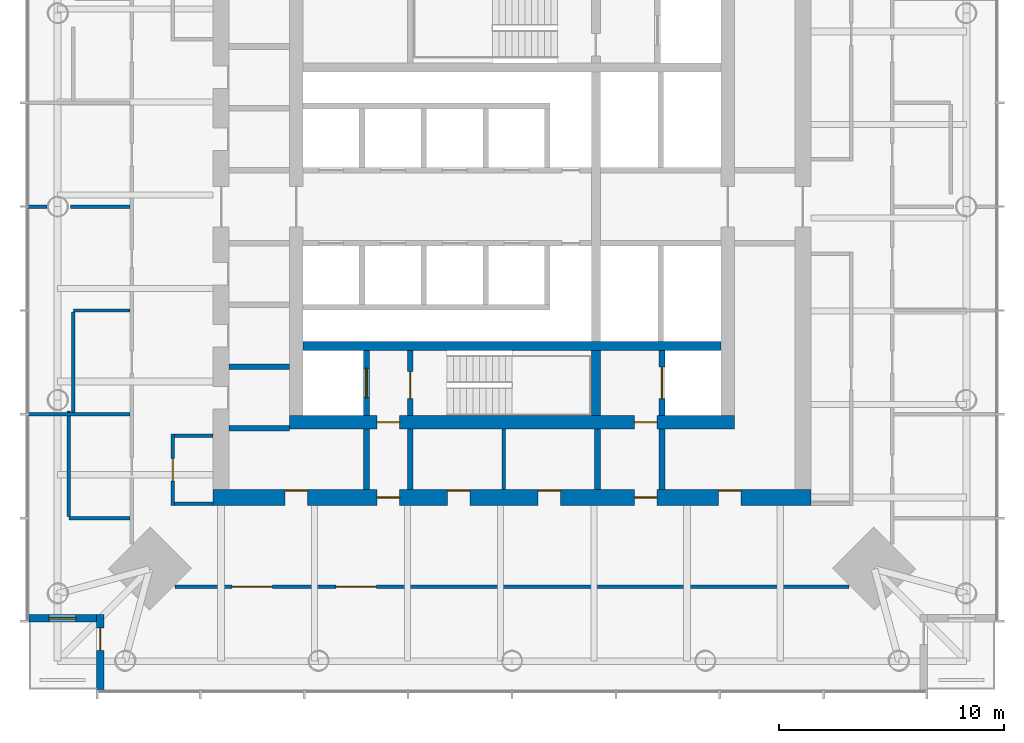
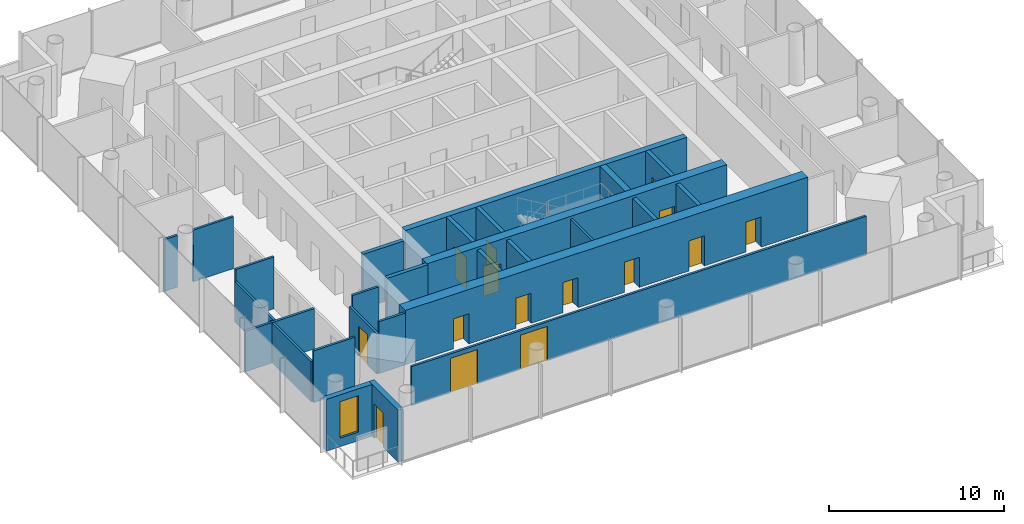
# One storey, part 4 of 9: 27 walls, 15 doors, 1 window, 16 openings.
"""IFC4 building model written with IfcOpenShell, lengths in metres."""

from ifc_helpers import new_model, si_unit, direction, frame, frame_2d, origin, place, context, subcontext, project, spatial, rectangle, extrude, material, layer, layer_set, type_object, element, fill, save


model = new_model("IFC4")

# Units and contexts
model_context = context("Model", 3, precision=1e-05, world=origin(), true_north=direction((0.0, 1.0)))
body_context = subcontext(model_context, "Body", "Model", "MODEL_VIEW")
ifc_project = project(units=[si_unit("LENGTHUNIT", "METRE"), si_unit("AREAUNIT", "SQUARE_METRE"), si_unit("VOLUMEUNIT", "CUBIC_METRE"), si_unit("PLANEANGLEUNIT", "RADIAN"), si_unit("MASSUNIT", "GRAM", prefix="KILO")], contexts=[model_context])

# Site, building, storey
site_placement = place(None, origin())
site = spatial("IfcSite", under=ifc_project, at=site_placement, CompositionType="ELEMENT")
building_placement = place(site_placement, origin())
building = spatial("IfcBuilding", under=site, at=building_placement, Name="Ostroluk Exchange", CompositionType="ELEMENT")
storey_placement = place(building_placement, frame((0.0, 0.0, 138.800048828125)))
storey = spatial("IfcBuildingStorey", under=building, at=storey_placement, Name="L35", CompositionType="ELEMENT", Elevation=138.800048828125)

# Walls
ifc_material_1 = material(Name="Concrete blockwork", Category="masonry")
ifc_layer_1 = layer(ifc_material_1, 0.14990234375)
ifc_layer_set_1 = layer_set([ifc_layer_1], Name="Blockwork plant room wall 150")
wall_type_1 = type_object("IfcWallType", Name="Blockwork plant room wall 150", PredefinedType="SOLIDWALL", material=ifc_layer_set_1)
wall_1_placement = place(storey_placement, frame((44.639892578125, 33.39990234375, 0.0), z_axis=(0.0, 0.0, 1.0), x_axis=(0.0, 1.0, 0.0)))
element("IfcWall", 1, at=wall_1_placement, inside=storey, type_object=wall_type_1, Name="Core room wall", PredefinedType="SOLIDWALL", context=body_context, shape_type="SweptSolid", body=[
    extrude(rectangle(XDim=2.7001953125, YDim=0.14990234375, at=frame_2d((1.35009765625, 0.0))), origin(), (0.0, 0.0, 1.0), 3.619873046875),
])
ifc_material_2 = material(Name="Concrete blockwork", Category="masonry")
ifc_layer_2 = layer(ifc_material_2, 0.25)
ifc_layer_set_2 = layer_set([ifc_layer_2], Name="Blockwork stair enclosure wall 250")
wall_type_2 = type_object("IfcWallType", Name="Blockwork stair enclosure wall 250", PredefinedType="SOLIDWALL", material=ifc_layer_set_2)
for number, where, z_axis, x_axis, name in (
    (2, (38.52490234375, 33.39990234375, 0.0), (0.0, 0.0, 1.0), (0.0, 1.0, 0.0), "Fire lobby enclosure wall"),
    (3, (40.47509765625, 33.39990234375, 0.0), (0.0, 0.0, 1.0), (0.0, 1.0, 0.0), "Fire lobby enclosure wall"),
    (4, (48.804931640625, 33.39990234375, 0.0), (0.0, 0.0, 1.0), (0.0, 1.0, 0.0), "Service lobby enclosure wall"),
    (5, (51.675048828125, 33.39990234375, 0.0), (0.0, 0.0, 1.0), (0.0, 1.0, 0.0), "Service lobby enclosure wall"),
):
    element("IfcWall", number, at=place(storey_placement, frame(where, z_axis=z_axis, x_axis=x_axis)), inside=storey, type_object=wall_type_2, Name=name, PredefinedType="SOLIDWALL", context=body_context, shape_type="SweptSolid", body=[
        extrude(rectangle(XDim=2.7001953125, YDim=0.25, at=frame_2d((1.35009765625, 0.0))), origin(), (0.0, 0.0, 1.0), 3.619873046875),
    ])
ifc_material_3 = material(Name="Concrete C50/60", Category="concrete")
ifc_layer_3 = layer(ifc_material_3, 0.39990234375)
ifc_layer_set_3 = layer_set([ifc_layer_3], Name="Core cross wall 400 C50/60")
wall_type_3 = type_object("IfcWallType", Name="Core cross wall 400 C50/60", PredefinedType="SHEAR", material=ifc_layer_set_3)
wall_2_placement = place(storey_placement, frame((35.699951171875, 39.800048828125, 0.0), z_axis=(0.0, 0.0, 1.0), x_axis=(1.0, 0.0, 0.0)))
element("IfcWall", 6, at=wall_2_placement, inside=storey, type_object=wall_type_3, Name="T1 core wall XS", PredefinedType="SHEAR", context=body_context, shape_type="SweptSolid", body=[
    extrude(rectangle(XDim=18.60009765625, YDim=0.39990234375, at=frame_2d((9.300048828125, 0.0))), origin(), (0.0, 0.0, 1.0), 3.800048828125),
])
wall_3_placement = place(storey_placement, frame((48.72998046875, 36.699951171875, 0.0), z_axis=(0.0, 0.0, 1.0), x_axis=(0.0, 1.0, 0.0)))
element("IfcWall", 7, at=wall_3_placement, inside=storey, type_object=wall_type_3, Name="T1 core wall YE1", PredefinedType="SHEAR", context=body_context, shape_type="SweptSolid", body=[
    extrude(rectangle(XDim=2.900146484375, YDim=0.39990234375, at=frame_2d((1.4501953125, 0.0))), origin(), (0.0, 0.0, 1.0), 3.800048828125),
])

# Wall, opening, door
ifc_material_4 = material(Name="Concrete C40/50", Category="concrete")
ifc_layer_4 = layer(ifc_material_4, 0.25)
ifc_layer_set_4 = layer_set([ifc_layer_4], Name="Core shaft wall 250")
wall_type_4 = type_object("IfcWallType", Name="Core shaft wall 250", PredefinedType="SHEAR", material=ifc_layer_set_4)
wall_4_placement = place(storey_placement, frame((38.52490234375, 36.699951171875, 0.0), z_axis=(0.0, 0.0, 1.0), x_axis=(0.0, 1.0, 0.0)))
wall_4 = element("IfcWall", 8, at=wall_4_placement, inside=storey, type_object=wall_type_4, Name="Firefighting lift shaft wall", PredefinedType="SHEAR", context=body_context, shape_type="SweptSolid", body=[
    extrude(rectangle(XDim=2.900146484375, YDim=0.25, at=frame_2d((1.4501953125, 0.0))), origin(), (0.0, 0.0, 1.0), 3.800048828125),
])
opening_1_placement = place(wall_4_placement, frame((0.800048828125, 0.0, 0.0)))
opening_1 = element("IfcOpeningElement", 9, at=opening_1_placement, cuts=wall_4, Name="Opening LD2", PredefinedType="OPENING", context=body_context, shape_type="SweptSolid", body=[
    extrude(rectangle(XDim=1.300048828125, YDim=2.199951171875, at=frame_2d((0.64990234375, 1.10009765625))), frame((0.0, 0.135009765625, 0.0), z_axis=(0.0, -1.0, 0.0), x_axis=(1.0, 0.0, 0.0)), (0.0, 0.0, 1.0), 0.27001953125),
])
ifc_material_5 = material(Name="Stainless steel", Category="steel")
door_type_1 = type_object("IfcDoorType", Name="Lift landing door E 60 1300 x 2200", OperationType="DOUBLE_DOOR_SLIDING", PredefinedType="DOOR", material=ifc_material_5)
door_1_placement = place(opening_1_placement, origin())
door_1 = element("IfcDoor", 10, at=door_1_placement, inside=storey, type_object=door_type_1, Name="Lift FL1 landing door", OperationType="DOUBLE_DOOR_SLIDING", OverallHeight=2.199951171875, OverallWidth=1.300048828125, PredefinedType="DOOR", context=body_context, shape_type="SweptSolid", body=[
    extrude(rectangle(XDim=1.300048828125, YDim=2.199951171875, at=frame_2d((0.64990234375, 1.10009765625))), frame((0.0, 0.02490234375, 0.0), z_axis=(0.0, -1.0, 0.0), x_axis=(1.0, 0.0, 0.0)), (0.0, 0.0, 1.0), 0.050048828125),
])
fill(opening_1, door_1)

wall_5_placement = place(storey_placement, frame((40.47509765625, 36.699951171875, 0.0), z_axis=(0.0, 0.0, 1.0), x_axis=(0.0, 1.0, 0.0)))
wall_5 = element("IfcWall", 11, at=wall_5_placement, inside=storey, type_object=wall_type_4, Name="Stair shaft wall", PredefinedType="SHEAR", context=body_context, shape_type="SweptSolid", body=[
    extrude(rectangle(XDim=2.900146484375, YDim=0.25, at=frame_2d((1.4501953125, 0.0))), origin(), (0.0, 0.0, 1.0), 3.800048828125),
])
opening_2_placement = place(wall_5_placement, frame((0.75, 0.0, 0.0)))
opening_2 = element("IfcOpeningElement", 12, at=opening_2_placement, cuts=wall_5, Name="Opening FD60S", PredefinedType="OPENING", context=body_context, shape_type="SweptSolid", body=[
    extrude(rectangle(XDim=1.199951171875, YDim=2.10009765625, at=frame_2d((0.60009765625, 1.050048828125))), frame((0.0, 0.135009765625, 0.0), z_axis=(0.0, -1.0, 0.0), x_axis=(1.0, 0.0, 0.0)), (0.0, 0.0, 1.0), 0.27001953125),
])
ifc_material_6 = material(Name="Steel", Category="steel")
door_type_2 = type_object("IfcDoorType", Name="Stair door EI 60 1200 x 2100", OperationType="SINGLE_SWING_LEFT", PredefinedType="DOOR", material=ifc_material_6)
door_2_placement = place(opening_2_placement, origin())
door_2 = element("IfcDoor", 13, at=door_2_placement, inside=storey, type_object=door_type_2, Name="Stair T1-S1 door", OperationType="SINGLE_SWING_LEFT", OverallHeight=2.10009765625, OverallWidth=1.199951171875, PredefinedType="DOOR", context=body_context, shape_type="SweptSolid", body=[
    extrude(rectangle(XDim=1.199951171875, YDim=2.10009765625, at=frame_2d((0.60009765625, 1.050048828125))), frame((0.0, 0.02490234375, 0.0), z_axis=(0.0, -1.0, 0.0), x_axis=(1.0, 0.0, 0.0)), (0.0, 0.0, 1.0), 0.050048828125),
])
fill(opening_2, door_2)

wall_6_placement = place(storey_placement, frame((51.675048828125, 36.699951171875, 0.0), z_axis=(0.0, 0.0, 1.0), x_axis=(0.0, 1.0, 0.0)))
wall_6 = element("IfcWall", 14, at=wall_6_placement, inside=storey, type_object=wall_type_4, Name="Service lift shaft wall", PredefinedType="SHEAR", context=body_context, shape_type="SweptSolid", body=[
    extrude(rectangle(XDim=2.900146484375, YDim=0.25, at=frame_2d((1.4501953125, 0.0))), origin(), (0.0, 0.0, 1.0), 3.800048828125),
])
opening_3_placement = place(wall_6_placement, frame((0.75, 0.0, 0.0)))
opening_3 = element("IfcOpeningElement", 15, at=opening_3_placement, cuts=wall_6, Name="Opening LD3", PredefinedType="OPENING", context=body_context, shape_type="SweptSolid", body=[
    extrude(rectangle(XDim=1.39990234375, YDim=2.39990234375, at=frame_2d((0.699951171875, 1.199951171875))), frame((0.0, 0.135009765625, 0.0), z_axis=(0.0, -1.0, 0.0), x_axis=(1.0, 0.0, 0.0)), (0.0, 0.0, 1.0), 0.27001953125),
])
ifc_material_7 = material(Name="Stainless steel", Category="steel")
door_type_3 = type_object("IfcDoorType", Name="Goods lift landing door E 60 1400 x 2400", OperationType="DOUBLE_DOOR_SLIDING", PredefinedType="DOOR", material=ifc_material_7)
door_3_placement = place(opening_3_placement, origin())
door_3 = element("IfcDoor", 16, at=door_3_placement, inside=storey, type_object=door_type_3, Name="Lift SL1 landing door", OperationType="DOUBLE_DOOR_SLIDING", OverallHeight=2.39990234375, OverallWidth=1.39990234375, PredefinedType="DOOR", context=body_context, shape_type="SweptSolid", body=[
    extrude(rectangle(XDim=1.39990234375, YDim=2.39990234375, at=frame_2d((0.699951171875, 1.199951171875))), frame((0.0, 0.02490234375, 0.0), z_axis=(0.0, -1.0, 0.0), x_axis=(1.0, 0.0, 0.0)), (0.0, 0.0, 1.0), 0.050048828125),
])
fill(opening_3, door_3)

# Walls
for number, where, z_axis, x_axis, name in (
    (17, (32.39990234375, 36.125, 0.0), (0.0, 0.0, 1.0), (1.0, 0.0, 0.0), "Lift shaft wall"),
    (18, (32.39990234375, 38.875, 0.0), (0.0, 0.0, 1.0), (1.0, 0.0, 0.0), "Lift shaft wall"),
):
    element("IfcWall", number, at=place(storey_placement, frame(where, z_axis=z_axis, x_axis=x_axis)), inside=storey, type_object=wall_type_4, Name=name, PredefinedType="SHEAR", context=body_context, shape_type="SweptSolid", body=[
        extrude(rectangle(XDim=2.7001953125, YDim=0.25, at=frame_2d((1.35009765625, 0.0))), origin(), (0.0, 0.0, 1.0), 3.800048828125),
    ])

# Wall, openings, doors
ifc_material_8 = material(Name="Concrete C50/60", Category="concrete")
ifc_layer_5 = layer(ifc_material_8, 0.60009765625)
ifc_layer_set_5 = layer_set([ifc_layer_5], Name="Core wall 600 C50/60")
wall_type_5 = type_object("IfcWallType", Name="Core wall 600 C50/60", PredefinedType="SHEAR", material=ifc_layer_set_5)
wall_7_placement = place(storey_placement, frame((35.10009765625, 36.39990234375, 0.0), z_axis=(0.0, 0.0, 1.0), x_axis=(1.0, 0.0, 0.0)))
wall_7 = element("IfcWall", 19, at=wall_7_placement, inside=storey, type_object=wall_type_5, Name="T1 core wall S", PredefinedType="SHEAR", context=body_context, shape_type="SweptSolid", body=[
    extrude(rectangle(XDim=19.7998046875, YDim=0.60009765625, at=frame_2d((9.89990234375, 0.0))), origin(), (0.0, 0.0, 1.0), 3.800048828125),
])
opening_4_placement = place(wall_7_placement, frame((3.89990234375, 0.0, 0.0)))
opening_4 = element("IfcOpeningElement", 20, at=opening_4_placement, cuts=wall_7, Name="Opening FD60", PredefinedType="OPENING", context=body_context, shape_type="SweptSolid", body=[
    extrude(rectangle(XDim=1.0, YDim=2.10009765625, at=frame_2d((0.5, 1.050048828125))), frame((0.0, 0.31005859375, 0.0), z_axis=(0.0, -1.0, 0.0), x_axis=(1.0, 0.0, 0.0)), (0.0, 0.0, 1.0), 0.6201171875),
])
opening_5_placement = place(wall_7_placement, frame((15.35009765625, 0.0, 0.0)))
opening_5 = element("IfcOpeningElement", 21, at=opening_5_placement, cuts=wall_7, Name="Opening FD60", PredefinedType="OPENING", context=body_context, shape_type="SweptSolid", body=[
    extrude(rectangle(XDim=1.0, YDim=2.10009765625, at=frame_2d((0.5, 1.050048828125))), frame((0.0, 0.31005859375, 0.0), z_axis=(0.0, -1.0, 0.0), x_axis=(1.0, 0.0, 0.0)), (0.0, 0.0, 1.0), 0.6201171875),
])
ifc_material_9 = material(Name="Steel", Category="steel")
door_type_4 = type_object("IfcDoorType", Name="Fire door EI 60 1000 x 2100", OperationType="SINGLE_SWING_LEFT", PredefinedType="DOOR", material=ifc_material_9)
door_4_placement = place(opening_4_placement, origin())
door_4 = element("IfcDoor", 22, at=door_4_placement, inside=storey, type_object=door_type_4, Name="Firefighting lobby door", OperationType="SINGLE_SWING_LEFT", OverallHeight=2.10009765625, OverallWidth=1.0, PredefinedType="DOOR", context=body_context, shape_type="SweptSolid", body=[
    extrude(rectangle(XDim=1.0, YDim=2.10009765625, at=frame_2d((0.5, 1.050048828125))), frame((0.0, 0.02490234375, 0.0), z_axis=(0.0, -1.0, 0.0), x_axis=(1.0, 0.0, 0.0)), (0.0, 0.0, 1.0), 0.050048828125),
])
fill(opening_4, door_4)
door_5_placement = place(opening_5_placement, origin())
door_5 = element("IfcDoor", 23, at=door_5_placement, inside=storey, type_object=door_type_4, Name="Service lobby door", OperationType="SINGLE_SWING_RIGHT", OverallHeight=2.10009765625, OverallWidth=1.0, PredefinedType="DOOR", context=body_context, shape_type="SweptSolid", body=[
    extrude(rectangle(XDim=1.0, YDim=2.10009765625, at=frame_2d((0.5, 1.050048828125))), frame((0.0, 0.02490234375, 0.0), z_axis=(0.0, -1.0, 0.0), x_axis=(1.0, 0.0, 0.0)), (0.0, 0.0, 1.0), 0.050048828125),
])
fill(opening_5, door_5)

ifc_material_10 = material(Name="Concrete C50/60", Category="concrete")
ifc_layer_6 = layer(ifc_material_10, 0.699951171875)
ifc_layer_set_6 = layer_set([ifc_layer_6], Name="Core wall 700 C50/60")
wall_type_6 = type_object("IfcWallType", Name="Core wall 700 C50/60", PredefinedType="SHEAR", material=ifc_layer_set_6)
wall_8_placement = place(storey_placement, frame((31.699951171875, 33.050048828125, 0.0), z_axis=(0.0, 0.0, 1.0), x_axis=(1.0, 0.0, 0.0)))
wall_8 = element("IfcWall", 24, at=wall_8_placement, inside=storey, type_object=wall_type_6, Name="T1 core wall RS", PredefinedType="SHEAR", context=body_context, shape_type="SweptSolid", body=[
    extrude(rectangle(XDim=26.60009765625, YDim=0.699951171875, at=frame_2d((13.300048828125, 0.0))), origin(), (0.0, 0.0, 1.0), 3.800048828125),
])
opening_6_placement = place(wall_8_placement, frame((7.300048828125, 0.0, 0.0)))
opening_6 = element("IfcOpeningElement", 25, at=opening_6_placement, cuts=wall_8, Name="Opening FD60", PredefinedType="OPENING", context=body_context, shape_type="SweptSolid", body=[
    extrude(rectangle(XDim=1.0, YDim=2.10009765625, at=frame_2d((0.5, 1.050048828125))), frame((0.0, 0.35986328125, 0.0), z_axis=(0.0, -1.0, 0.0), x_axis=(1.0, 0.0, 0.0)), (0.0, 0.0, 1.0), 0.719970703125),
])
opening_7_placement = place(wall_8_placement, frame((18.75, 0.0, 0.0)))
opening_7 = element("IfcOpeningElement", 26, at=opening_7_placement, cuts=wall_8, Name="Opening FD60", PredefinedType="OPENING", context=body_context, shape_type="SweptSolid", body=[
    extrude(rectangle(XDim=1.0, YDim=2.10009765625, at=frame_2d((0.5, 1.050048828125))), frame((0.0, 0.35986328125, 0.0), z_axis=(0.0, -1.0, 0.0), x_axis=(1.0, 0.0, 0.0)), (0.0, 0.0, 1.0), 0.719970703125),
])
opening_8_placement = place(wall_8_placement, frame((3.199951171875, 0.0, 0.0)))
opening_8 = element("IfcOpeningElement", 27, at=opening_8_placement, cuts=wall_8, Name="Opening FD60", PredefinedType="OPENING", context=body_context, shape_type="SweptSolid", body=[
    extrude(rectangle(XDim=1.0, YDim=2.10009765625, at=frame_2d((0.5, 1.050048828125))), frame((0.0, 0.35986328125, 0.0), z_axis=(0.0, -1.0, 0.0), x_axis=(1.0, 0.0, 0.0)), (0.0, 0.0, 1.0), 0.719970703125),
])
opening_9_placement = place(wall_8_placement, frame((10.419921875, 0.0, 0.0)))
opening_9 = element("IfcOpeningElement", 28, at=opening_9_placement, cuts=wall_8, Name="Opening FD60", PredefinedType="OPENING", context=body_context, shape_type="SweptSolid", body=[
    extrude(rectangle(XDim=1.0, YDim=2.10009765625, at=frame_2d((0.5, 1.050048828125))), frame((0.0, 0.35986328125, 0.0), z_axis=(0.0, -1.0, 0.0), x_axis=(1.0, 0.0, 0.0)), (0.0, 0.0, 1.0), 0.719970703125),
])
opening_10_placement = place(wall_8_placement, frame((14.4599609375, 0.0, 0.0)))
opening_10 = element("IfcOpeningElement", 29, at=opening_10_placement, cuts=wall_8, Name="Opening FD60", PredefinedType="OPENING", context=body_context, shape_type="SweptSolid", body=[
    extrude(rectangle(XDim=1.0, YDim=2.10009765625, at=frame_2d((0.5, 1.050048828125))), frame((0.0, 0.35986328125, 0.0), z_axis=(0.0, -1.0, 0.0), x_axis=(1.0, 0.0, 0.0)), (0.0, 0.0, 1.0), 0.719970703125),
])
opening_11_placement = place(wall_8_placement, frame((22.5, 0.0, 0.0)))
opening_11 = element("IfcOpeningElement", 30, at=opening_11_placement, cuts=wall_8, Name="Opening FD60", PredefinedType="OPENING", context=body_context, shape_type="SweptSolid", body=[
    extrude(rectangle(XDim=1.0, YDim=2.10009765625, at=frame_2d((0.5, 1.050048828125))), frame((0.0, 0.35986328125, 0.0), z_axis=(0.0, -1.0, 0.0), x_axis=(1.0, 0.0, 0.0)), (0.0, 0.0, 1.0), 0.719970703125),
])
door_6_placement = place(opening_6_placement, origin())
door_6 = element("IfcDoor", 31, at=door_6_placement, inside=storey, type_object=door_type_4, Name="Firefighting lobby door", OperationType="SINGLE_SWING_LEFT", OverallHeight=2.10009765625, OverallWidth=1.0, PredefinedType="DOOR", context=body_context, shape_type="SweptSolid", body=[
    extrude(rectangle(XDim=1.0, YDim=2.10009765625, at=frame_2d((0.5, 1.050048828125))), frame((0.0, 0.02490234375, 0.0), z_axis=(0.0, -1.0, 0.0), x_axis=(1.0, 0.0, 0.0)), (0.0, 0.0, 1.0), 0.050048828125),
])
fill(opening_6, door_6)
door_7_placement = place(opening_7_placement, origin())
door_7 = element("IfcDoor", 32, at=door_7_placement, inside=storey, type_object=door_type_4, Name="Service lobby door", OperationType="SINGLE_SWING_RIGHT", OverallHeight=2.10009765625, OverallWidth=1.0, PredefinedType="DOOR", context=body_context, shape_type="SweptSolid", body=[
    extrude(rectangle(XDim=1.0, YDim=2.10009765625, at=frame_2d((0.5, 1.050048828125))), frame((0.0, 0.02490234375, 0.0), z_axis=(0.0, -1.0, 0.0), x_axis=(1.0, 0.0, 0.0)), (0.0, 0.0, 1.0), 0.050048828125),
])
fill(opening_7, door_7)
door_8_placement = place(opening_8_placement, origin())
door_8 = element("IfcDoor", 33, at=door_8_placement, inside=storey, type_object=door_type_4, Name="Archive door", OperationType="SINGLE_SWING_LEFT", OverallHeight=2.10009765625, OverallWidth=1.0, PredefinedType="DOOR", context=body_context, shape_type="SweptSolid", body=[
    extrude(rectangle(XDim=1.0, YDim=2.10009765625, at=frame_2d((0.5, 1.050048828125))), frame((0.0, 0.33984375, 0.0), z_axis=(0.0, -1.0, 0.0), x_axis=(1.0, 0.0, 0.0)), (0.0, 0.0, 1.0), 0.050048828125),
])
fill(opening_8, door_8)
door_9_placement = place(opening_9_placement, origin())
door_9 = element("IfcDoor", 34, at=door_9_placement, inside=storey, type_object=door_type_4, Name="Tea point door", OperationType="SINGLE_SWING_LEFT", OverallHeight=2.10009765625, OverallWidth=1.0, PredefinedType="DOOR", context=body_context, shape_type="SweptSolid", body=[
    extrude(rectangle(XDim=1.0, YDim=2.10009765625, at=frame_2d((0.5, 1.050048828125))), frame((0.0, 0.33984375, 0.0), z_axis=(0.0, -1.0, 0.0), x_axis=(1.0, 0.0, 0.0)), (0.0, 0.0, 1.0), 0.050048828125),
])
fill(opening_9, door_9)
door_10_placement = place(opening_10_placement, origin())
door_10 = element("IfcDoor", 35, at=door_10_placement, inside=storey, type_object=door_type_4, Name="Print and post room door", OperationType="SINGLE_SWING_RIGHT", OverallHeight=2.10009765625, OverallWidth=1.0, PredefinedType="DOOR", context=body_context, shape_type="SweptSolid", body=[
    extrude(rectangle(XDim=1.0, YDim=2.10009765625, at=frame_2d((0.5, 1.050048828125))), frame((0.0, 0.33984375, 0.0), z_axis=(0.0, -1.0, 0.0), x_axis=(1.0, 0.0, 0.0)), (0.0, 0.0, 1.0), 0.050048828125),
])
fill(opening_10, door_10)
door_11_placement = place(opening_11_placement, origin())
door_11 = element("IfcDoor", 36, at=door_11_placement, inside=storey, type_object=door_type_4, Name="Tenant IT room door", OperationType="SINGLE_SWING_RIGHT", OverallHeight=2.10009765625, OverallWidth=1.0, PredefinedType="DOOR", context=body_context, shape_type="SweptSolid", body=[
    extrude(rectangle(XDim=1.0, YDim=2.10009765625, at=frame_2d((0.5, 1.050048828125))), frame((0.0, 0.33984375, 0.0), z_axis=(0.0, -1.0, 0.0), x_axis=(1.0, 0.0, 0.0)), (0.0, 0.0, 1.0), 0.050048828125),
])
fill(opening_11, door_11)

# Wall, opening, door
ifc_material_11 = material(Name="Limestone", Category="masonry")
ifc_layer_7 = layer(ifc_material_11, 0.35009765625)
ifc_layer_set_7 = layer_set([ifc_layer_7], Name="Limestone facade wall 350")
wall_type_7 = type_object("IfcWallType", Name="Limestone facade wall 350", PredefinedType="SOLIDWALL", material=ifc_layer_set_7)
wall_9_placement = place(storey_placement, frame((26.675048828125, 24.5, 0.0), z_axis=(0.0, 0.0, 1.0), x_axis=(0.0, 1.0, 0.0)))
wall_9 = element("IfcWall", 37, at=wall_9_placement, inside=storey, type_object=wall_type_7, Name="Office tower SW corner wall L35 a", PredefinedType="SOLIDWALL", context=body_context, shape_type="SweptSolid", body=[
    extrude(rectangle(XDim=3.35009765625, YDim=0.35009765625, at=frame_2d((1.675048828125, 0.0))), origin(), (0.0, 0.0, 1.0), 3.619873046875),
])
opening_12_placement = place(wall_9_placement, frame((1.75, 0.0, 0.0)))
opening_12 = element("IfcOpeningElement", 38, at=opening_12_placement, cuts=wall_9, Name="Opening D-B1", PredefinedType="OPENING", context=body_context, shape_type="SweptSolid", body=[
    extrude(rectangle(XDim=1.0, YDim=2.39990234375, at=frame_2d((0.5, 1.199951171875))), frame((0.0, 0.18505859375, 0.0), z_axis=(0.0, -1.0, 0.0), x_axis=(1.0, 0.0, 0.0)), (0.0, 0.0, 1.0), 0.3701171875),
])
ifc_material_12 = material(Name="Bronze framed glazed door", Category="aluminium")
door_type_5 = type_object("IfcDoorType", Name="Balcony door 1000 x 2400", OperationType="SINGLE_SWING_LEFT", PredefinedType="DOOR", material=ifc_material_12)
door_12_placement = place(opening_12_placement, origin())
door_12 = element("IfcDoor", 39, at=door_12_placement, inside=storey, type_object=door_type_5, Name="Office tower SW balcony door L35", OperationType="SINGLE_SWING_RIGHT", OverallHeight=2.39990234375, OverallWidth=1.0, PredefinedType="DOOR", context=body_context, shape_type="SweptSolid", body=[
    extrude(rectangle(XDim=1.0, YDim=2.39990234375, at=frame_2d((0.5, 1.199951171875))), frame((0.0, 0.02490234375, 0.0), z_axis=(0.0, -1.0, 0.0), x_axis=(1.0, 0.0, 0.0)), (0.0, 0.0, 1.0), 0.050048828125),
])
fill(opening_12, door_12)

# Wall, opening, window
wall_10_placement = place(storey_placement, frame((26.5, 27.675048828125, 0.0), z_axis=(0.0, 0.0, 1.0), x_axis=(-1.0, 0.0, 0.0)))
wall_10 = element("IfcWall", 40, at=wall_10_placement, inside=storey, type_object=wall_type_7, Name="Office tower SW corner wall L35 b", PredefinedType="SOLIDWALL", context=body_context, shape_type="SweptSolid", body=[
    extrude(rectangle(XDim=3.0, YDim=0.35009765625, at=frame_2d((1.5, 0.0))), origin(), (0.0, 0.0, 1.0), 3.619873046875),
])
opening_13_placement = place(wall_10_placement, frame((0.89990234375, 0.0, 0.60009765625)))
opening_13 = element("IfcOpeningElement", 41, at=opening_13_placement, cuts=wall_10, Name="Opening WN-L1", PredefinedType="OPENING", context=body_context, shape_type="SweptSolid", body=[
    extrude(rectangle(XDim=1.199951171875, YDim=2.550048828125, at=frame_2d((0.60009765625, 1.27490234375))), frame((0.0, 0.18505859375, 0.0), z_axis=(0.0, -1.0, 0.0), x_axis=(1.0, 0.0, 0.0)), (0.0, 0.0, 1.0), 0.3701171875),
])
ifc_material_13 = material(Name="Laminated clear glass", Category="glass")
window_type = type_object("IfcWindowType", Name="Lancet window 1200 x 2550", PartitioningType="SINGLE_PANEL", PredefinedType="WINDOW", material=ifc_material_13)
window_placement = place(opening_13_placement, origin())
window = element("IfcWindow", 42, at=window_placement, inside=storey, type_object=window_type, Name="Office tower SW lancet window L35", OverallHeight=2.550048828125, OverallWidth=1.199951171875, PartitioningType="SINGLE_PANEL", PredefinedType="WINDOW", context=body_context, shape_type="SweptSolid", body=[
    extrude(rectangle(XDim=1.199951171875, YDim=2.550048828125, at=frame_2d((0.60009765625, 1.27490234375))), frame((0.0, 0.030029296875, 0.0), z_axis=(0.0, -1.0, 0.0), x_axis=(1.0, 0.0, 0.0)), (0.0, 0.0, 1.0), 0.06005859375),
])
fill(opening_13, window)

# Wall, opening, door
ifc_material_14 = material(Name="Gypsum plasterboard partition", Category="gypsum")
ifc_layer_8 = layer(ifc_material_14, 0.14990234375)
ifc_layer_set_8 = layer_set([ifc_layer_8], Name="Plasterboard partition 150")
wall_type_8 = type_object("IfcWallType", Name="Plasterboard partition 150", PredefinedType="PARTITIONING", material=ifc_layer_set_8)
wall_11_placement = place(storey_placement, frame((29.89990234375, 35.875, 0.0), z_axis=(0.0, 0.0, 1.0), x_axis=(0.0, -1.0, 0.0)))
wall_11 = element("IfcWall", 43, at=wall_11_placement, inside=storey, type_object=wall_type_8, Name="Partition", PredefinedType="PARTITIONING", context=body_context, shape_type="SweptSolid", body=[
    extrude(rectangle(XDim=3.175048828125, YDim=0.14990234375, at=frame_2d((1.58740234375, 0.0))), origin(), (0.0, 0.0, 1.0), 2.805908203125),
])
opening_14_placement = place(wall_11_placement, frame((1.08740234375, 0.0, 0.0)))
opening_14 = element("IfcOpeningElement", 44, at=opening_14_placement, cuts=wall_11, Name="Opening D-03", PredefinedType="OPENING", context=body_context, shape_type="SweptSolid", body=[
    extrude(rectangle(XDim=1.0, YDim=2.10009765625, at=frame_2d((0.5, 1.050048828125))), frame((0.0, 0.0849609375, 0.0), z_axis=(0.0, -1.0, 0.0), x_axis=(1.0, 0.0, 0.0)), (0.0, 0.0, 1.0), 0.169921875),
])
ifc_material_15 = material(Name="Timber", Category="wood")
door_type_6 = type_object("IfcDoorType", Name="Internal door 1000 x 2100", OperationType="SINGLE_SWING_LEFT", PredefinedType="DOOR", material=ifc_material_15)
door_13_placement = place(opening_14_placement, origin())
door_13 = element("IfcDoor", 45, at=door_13_placement, inside=storey, type_object=door_type_6, Name="Staff room door", OperationType="SINGLE_SWING_RIGHT", OverallHeight=2.10009765625, OverallWidth=1.0, PredefinedType="DOOR", context=body_context, shape_type="SweptSolid", body=[
    extrude(rectangle(XDim=1.0, YDim=2.10009765625, at=frame_2d((0.5, 1.050048828125))), frame((0.0, 0.02490234375, 0.0), z_axis=(0.0, -1.0, 0.0), x_axis=(1.0, 0.0, 0.0)), (0.0, 0.0, 1.0), 0.050048828125),
])
fill(opening_14, door_13)

# Walls
for number, where, z_axis, x_axis, name in (
    (46, (31.699951171875, 35.800048828125, 0.0), (0.0, 0.0, 1.0), (-1.0, 0.0, 0.0), "Partition"),
    (47, (31.699951171875, 32.77490234375, 0.0), (0.0, 0.0, 1.0), (-1.0, 0.0, 0.0), "Partition"),
):
    element("IfcWall", number, at=place(storey_placement, frame(where, z_axis=z_axis, x_axis=x_axis)), inside=storey, type_object=wall_type_8, Name=name, PredefinedType="PARTITIONING", context=body_context, shape_type="SweptSolid", body=[
        extrude(rectangle(XDim=1.724853515625, YDim=0.14990234375, at=frame_2d((0.8623046875, 0.0))), origin(), (0.0, 0.0, 1.0), 3.619873046875),
    ])
wall_12_placement = place(storey_placement, frame((28.0, 46.0, 0.0), z_axis=(0.0, 0.0, 1.0), x_axis=(-1.0, 0.0, 0.0)))
element("IfcWall", 48, at=wall_12_placement, inside=storey, type_object=wall_type_8, Name="Partition", PredefinedType="PARTITIONING", context=body_context, shape_type="SweptSolid", body=[
    extrude(rectangle(XDim=2.6572265625, YDim=0.14990234375, at=frame_2d((1.32861328125, 0.0))), origin(), (0.0, 0.0, 1.0), 3.619873046875),
])
wall_13_placement = place(storey_placement, frame((24.307373046875, 46.0, 0.0), z_axis=(0.0, 0.0, 1.0), x_axis=(-1.0, 0.0, 0.0)))
element("IfcWall", 49, at=wall_13_placement, inside=storey, type_object=wall_type_8, Name="Partition", PredefinedType="PARTITIONING", context=body_context, shape_type="SweptSolid", body=[
    extrude(rectangle(XDim=0.847412109375, YDim=0.14990234375, at=frame_2d((0.423828125, 0.0))), origin(), (0.0, 0.0, 1.0), 3.619873046875),
])
wall_14_placement = place(storey_placement, frame((28.0, 41.375, 0.0), z_axis=(0.0, 0.0, 1.0), x_axis=(-1.0, 0.0, 0.0)))
element("IfcWall", 50, at=wall_14_placement, inside=storey, type_object=wall_type_8, Name="Partition", PredefinedType="PARTITIONING", context=body_context, shape_type="SweptSolid", body=[
    extrude(rectangle(XDim=2.52490234375, YDim=0.14990234375, at=frame_2d((1.262451171875, 0.0))), origin(), (0.0, 0.0, 1.0), 3.619873046875),
])
wall_15_placement = place(storey_placement, frame((28.0, 36.75, 0.0), z_axis=(0.0, 0.0, 1.0), x_axis=(-1.0, 0.0, 0.0)))
element("IfcWall", 51, at=wall_15_placement, inside=storey, type_object=wall_type_8, Name="Partition", PredefinedType="PARTITIONING", context=body_context, shape_type="SweptSolid", body=[
    extrude(rectangle(XDim=4.5400390625, YDim=0.14990234375, at=frame_2d((2.27001953125, 0.0))), origin(), (0.0, 0.0, 1.0), 2.820068359375),
])
wall_16_placement = place(storey_placement, frame((28.0, 32.125, 0.0), z_axis=(0.0, 0.0, 1.0), x_axis=(-1.0, 0.0, 0.0)))
element("IfcWall", 52, at=wall_16_placement, inside=storey, type_object=wall_type_8, Name="Partition", PredefinedType="PARTITIONING", context=body_context, shape_type="SweptSolid", body=[
    extrude(rectangle(XDim=2.72509765625, YDim=0.14990234375, at=frame_2d((1.362548828125, 0.0))), origin(), (0.0, 0.0, 1.0), 3.619873046875),
])

# Wall, openings, doors
wall_17_placement = place(storey_placement, frame((29.988525390625, 29.074951171875, 0.0), z_axis=(0.0, 0.0, 1.0), x_axis=(1.0, 0.0, 0.0)))
wall_17 = element("IfcWall", 53, at=wall_17_placement, inside=storey, type_object=wall_type_8, Name="Partition", PredefinedType="PARTITIONING", context=body_context, shape_type="SweptSolid", body=[
    extrude(rectangle(XDim=30.02294921875, YDim=0.14990234375, at=frame_2d((15.011474609375, 0.0))), origin(), (0.0, 0.0, 1.0), 2.719970703125),
])
opening_15_placement = place(wall_17_placement, frame((2.549072265625, 0.0, 0.0)))
opening_15 = element("IfcOpeningElement", 54, at=opening_15_placement, cuts=wall_17, Name="Opening D-04", PredefinedType="OPENING", context=body_context, shape_type="SweptSolid", body=[
    extrude(rectangle(XDim=1.800048828125, YDim=2.39990234375, at=frame_2d((0.89990234375, 1.199951171875))), frame((0.0, 0.0849609375, 0.0), z_axis=(0.0, -1.0, 0.0), x_axis=(1.0, 0.0, 0.0)), (0.0, 0.0, 1.0), 0.169921875),
])
opening_16_placement = place(wall_17_placement, frame((7.174072265625, 0.0, 0.0)))
opening_16 = element("IfcOpeningElement", 55, at=opening_16_placement, cuts=wall_17, Name="Opening D-04", PredefinedType="OPENING", context=body_context, shape_type="SweptSolid", body=[
    extrude(rectangle(XDim=1.800048828125, YDim=2.39990234375, at=frame_2d((0.89990234375, 1.199951171875))), frame((0.0, 0.0849609375, 0.0), z_axis=(0.0, -1.0, 0.0), x_axis=(1.0, 0.0, 0.0)), (0.0, 0.0, 1.0), 0.169921875),
])
ifc_material_16 = material(Name="Timber", Category="wood")
door_type_7 = type_object("IfcDoorType", Name="Double door 1800 x 2400", OperationType="DOUBLE_DOOR_SINGLE_SWING", PredefinedType="DOOR", material=ifc_material_16)
door_14_placement = place(opening_15_placement, origin())
door_14 = element("IfcDoor", 56, at=door_14_placement, inside=storey, type_object=door_type_7, Name="Open plan office door", OperationType="DOUBLE_DOOR_SINGLE_SWING", OverallHeight=2.39990234375, OverallWidth=1.800048828125, PredefinedType="DOOR", context=body_context, shape_type="SweptSolid", body=[
    extrude(rectangle(XDim=1.800048828125, YDim=2.39990234375, at=frame_2d((0.89990234375, 1.199951171875))), frame((0.0, 0.02490234375, 0.0), z_axis=(0.0, -1.0, 0.0), x_axis=(1.0, 0.0, 0.0)), (0.0, 0.0, 1.0), 0.050048828125),
])
fill(opening_15, door_14)
door_15_placement = place(opening_16_placement, origin())
door_15 = element("IfcDoor", 57, at=door_15_placement, inside=storey, type_object=door_type_7, Name="Open plan office door", OperationType="DOUBLE_DOOR_SINGLE_SWING", OverallHeight=2.39990234375, OverallWidth=1.800048828125, PredefinedType="DOOR", context=body_context, shape_type="SweptSolid", body=[
    extrude(rectangle(XDim=1.800048828125, YDim=2.39990234375, at=frame_2d((0.89990234375, 1.199951171875))), frame((0.0, 0.02490234375, 0.0), z_axis=(0.0, -1.0, 0.0), x_axis=(1.0, 0.0, 0.0)), (0.0, 0.0, 1.0), 0.050048828125),
])
fill(opening_16, door_15)

# Walls
ifc_material_17 = material(Name="Gypsum plasterboard partition, moisture resistant", Category="gypsum")
ifc_layer_9 = layer(ifc_material_17, 0.14990234375)
ifc_layer_set_9 = layer_set([ifc_layer_9], Name="Plasterboard toilet partition 150")
wall_type_9 = type_object("IfcWallType", Name="Plasterboard toilet partition 150", PredefinedType="PARTITIONING", material=ifc_layer_set_9)
wall_18_placement = place(storey_placement, frame((25.47509765625, 41.300048828125, 0.0), z_axis=(0.0, 0.0, 1.0), x_axis=(0.0, -1.0, 0.0)))
element("IfcWall", 58, at=wall_18_placement, inside=storey, type_object=wall_type_9, Name="Toilet partition", PredefinedType="PARTITIONING", context=body_context, shape_type="SweptSolid", body=[
    extrude(rectangle(XDim=4.47509765625, YDim=0.14990234375, at=frame_2d((2.237548828125, 0.0))), origin(), (0.0, 0.0, 1.0), 2.805908203125),
])
wall_19_placement = place(storey_placement, frame((25.27490234375, 36.905029296875, 0.0), z_axis=(0.0, 0.0, 1.0), x_axis=(0.0, -1.0, 0.0)))
element("IfcWall", 59, at=wall_19_placement, inside=storey, type_object=wall_type_9, Name="Toilet partition", PredefinedType="PARTITIONING", context=body_context, shape_type="SweptSolid", body=[
    extrude(rectangle(XDim=4.705078125, YDim=0.14990234375, at=frame_2d((2.3525390625, 0.0))), origin(), (0.0, 0.0, 1.0), 2.805908203125),
])

save(model, "model.ifc")
